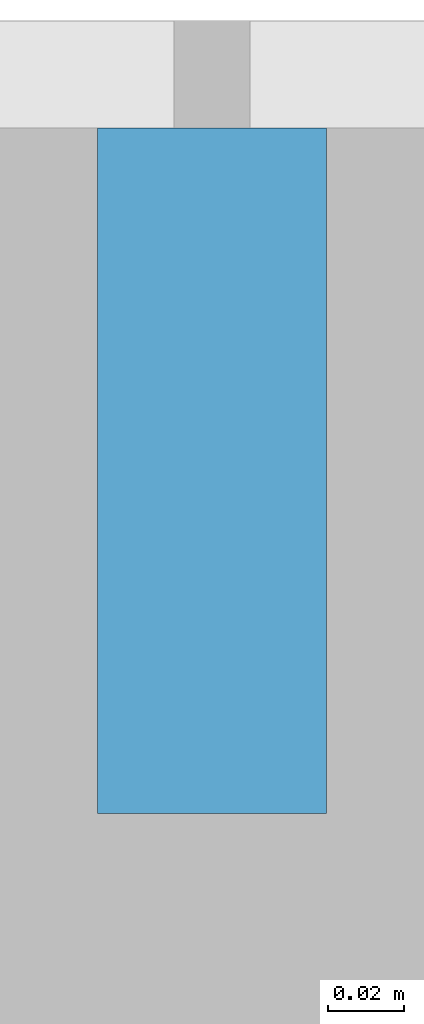
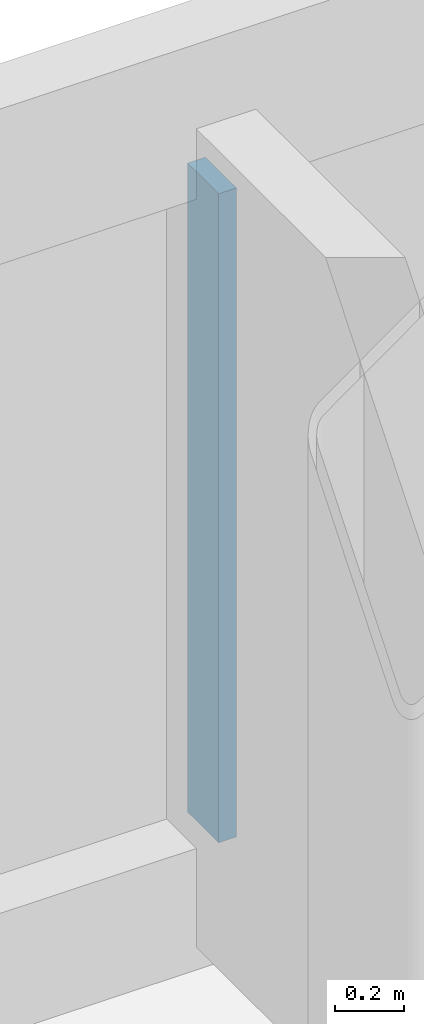
# One storey, part 9 of 26: 1 member, 1 element without a shape of its own.
"""IFC4 building model written with IfcOpenShell, lengths in metres."""

from ifc_helpers import new_model, si_unit, direction, frame, origin, origin_2d, place, context, subcontext, project, spatial, rectangle, extrude, material, layer, layer_set, material_profile, profile_set, type_object, element, aggregate, save


model = new_model("IFC4")

# Units and contexts
model_context = context("Model", 3, precision=1e-05, world=origin(), true_north=direction((0.0, 1.0)))
body_context = subcontext(model_context, "Body", "Model", "MODEL_VIEW")
ifc_project = project(units=[si_unit("LENGTHUNIT", "METRE"), si_unit("AREAUNIT", "SQUARE_METRE"), si_unit("VOLUMEUNIT", "CUBIC_METRE"), si_unit("PLANEANGLEUNIT", "RADIAN"), si_unit("MASSUNIT", "GRAM", prefix="KILO")], contexts=[model_context])

# Site, building, storey
site_placement = place(None, origin())
site = spatial("IfcSite", under=ifc_project, at=site_placement, CompositionType="ELEMENT")
building_placement = place(site_placement, origin())
building = spatial("IfcBuilding", under=site, at=building_placement, Name="Hakoniwa Tower and Hamabe Station Hall", CompositionType="ELEMENT")
storey_placement = place(building_placement, frame((0.0, 0.0, 225.0)))
storey = spatial("IfcBuildingStorey", under=building, at=storey_placement, Name="L64", CompositionType="ELEMENT", Elevation=225.0)

# Curtain wall, member
ifc_material_1 = material(Name="Dark low-e laminated glass", Category="glass")
ifc_layer = layer(ifc_material_1, 0.199951171875)
ifc_layer_set = layer_set([ifc_layer], Name="CW-1 UNITISED GUEST")
curtain_wall_type = type_object("IfcCurtainWallType", Name="CW-1 UNITISED GUEST", PredefinedType="NOTDEFINED", material=ifc_layer_set)
curtain_wall_placement = place(storey_placement, origin())
curtain_wall = element("IfcCurtainWall", 1, at=curtain_wall_placement, inside=storey, type_object=curtain_wall_type, Name="CW-1 curtain wall", PredefinedType="NOTDEFINED")
ifc_material_2 = material(Name="Aluminium 6063-T5 black anodised", Category="aluminium")
ifc_material_profile = material_profile(ifc_material_2, rectangle(XDim=0.06005859375, YDim=0.179931640625, at=origin_2d()), Name="CW-1 MULLION 60X180")
ifc_profile_set = profile_set([ifc_material_profile], Name="Aluminium 6063-T5 black anodised")
member_type = type_object("IfcMemberType", Name="CW-1 MULLION 60X180", PredefinedType="MULLION", material=ifc_profile_set)
member_placement = place(storey_placement, frame((16.800048828125, 20.431884765625, 0.35009765625), z_axis=(0.0, 0.0, 1.0), x_axis=(-1.0, 0.0, 0.0)))
member = element("IfcMember", 2, at=member_placement, type_object=member_type, Name="CW-1 mullion", PredefinedType="MULLION", context=body_context, shape_type="SweptSolid", body=[
    extrude(rectangle(XDim=0.06005859375, YDim=0.179931640625, at=origin_2d()), origin(), (0.0, 0.0, 1.0), 2.2998046875),
])
aggregate(curtain_wall, [member])

save(model, "model.ifc")
